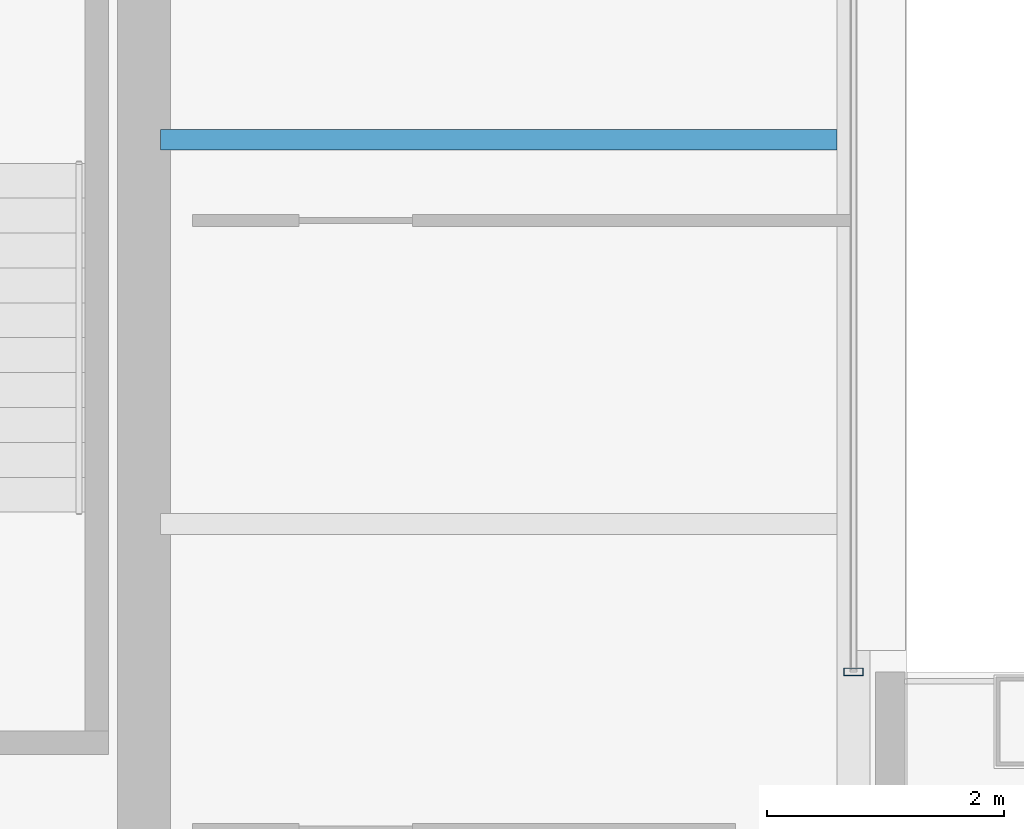
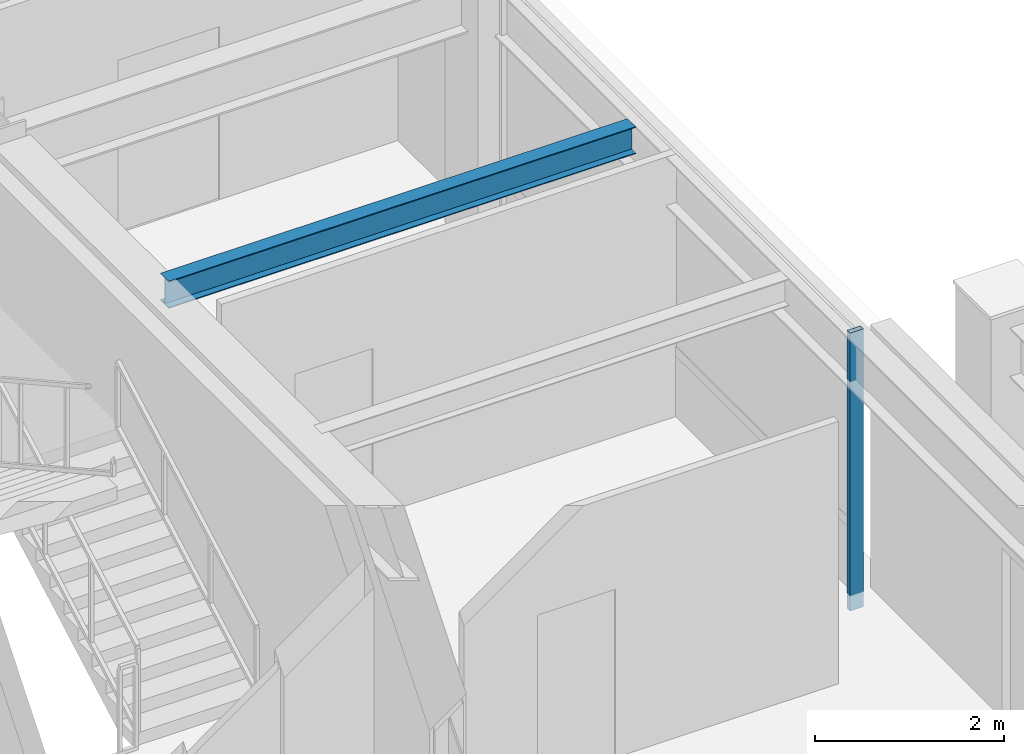
# One storey, part 16 of 29: 1 beam, 1 member, 1 element without a shape of its own.
"""IFC4 building model written with IfcOpenShell, lengths in metres."""

from ifc_helpers import new_model, si_unit, direction, frame, origin, origin_2d, place, context, subcontext, project, spatial, hollow_rectangle, i_section, extrude, material, layer, layer_set, material_profile, profile_set, type_object, element, aggregate, save


model = new_model("IFC4")

# Units and contexts
model_context = context("Model", 3, precision=1e-05, world=origin(), true_north=direction((0.0, 1.0)))
body_context = subcontext(model_context, "Body", "Model", "MODEL_VIEW")
ifc_project = project(units=[si_unit("LENGTHUNIT", "METRE"), si_unit("AREAUNIT", "SQUARE_METRE"), si_unit("VOLUMEUNIT", "CUBIC_METRE"), si_unit("PLANEANGLEUNIT", "RADIAN"), si_unit("MASSUNIT", "GRAM", prefix="KILO")], contexts=[model_context])

# Site, building, storey
site_placement = place(None, origin())
site = spatial("IfcSite", under=ifc_project, at=site_placement, CompositionType="ELEMENT")
building_placement = place(site_placement, origin())
building = spatial("IfcBuilding", under=site, at=building_placement, Name="Brelmoor Portico Tower", CompositionType="ELEMENT")
storey_placement = place(building_placement, frame((0.0, 0.0, 201.89990234375)))
storey = spatial("IfcBuildingStorey", under=building, at=storey_placement, Name="L53", CompositionType="ELEMENT", Elevation=201.89990234375)

# Beam
ifc_material_1 = material(Name="Steel Q355B", Category="steel")
ifc_material_profile_1 = material_profile(ifc_material_1, i_section(OverallWidth=0.175048828125, OverallDepth=0.35009765625, WebThickness=0.007080078125, FlangeThickness=0.010986328125, at=origin_2d()), Name="HN 350x175x7x11")
ifc_profile_set_1 = profile_set([ifc_material_profile_1], Name="Steel Q355B")
beam_type = type_object("IfcBeamType", Name="BM-JS-350", PredefinedType="JOIST", material=ifc_profile_set_1)
beam_placement = place(storey_placement, frame((14.68994140625, 6.5, 3.22509765625), z_axis=(1.0, 0.0, 0.0), x_axis=(0.0, 1.0, 0.0)))
element("IfcBeam", 1, at=beam_placement, inside=storey, type_object=beam_type, Name="L53 Secondary Wing Joist JS-E12", PredefinedType="JOIST", context=body_context, shape_type="SweptSolid", body=[
    extrude(i_section(OverallWidth=0.175048828125, OverallDepth=0.35009765625, WebThickness=0.007080078125, FlangeThickness=0.010986328125, at=origin_2d()), origin(), (0.0, 0.0, 1.0), 5.719970703125),
])

# Curtain wall, member
ifc_material_2 = material(Name="Anodised Aluminium Alloy 6063-T6", Category="aluminium")
ifc_layer = layer(ifc_material_2, 0.179931640625)
ifc_layer_set = layer_set([ifc_layer], Name="Anodised Aluminium Alloy 6063-T6")
curtain_wall_type = type_object("IfcCurtainWallType", Name="CW-TOWER-Z3", PredefinedType="NOTDEFINED", material=ifc_layer_set)
curtain_wall_placement = place(storey_placement, origin())
curtain_wall = element("IfcCurtainWall", 2, at=curtain_wall_placement, inside=storey, type_object=curtain_wall_type, Name="L53 Curtain Wall CW-L53-4R-1", PredefinedType="NOTDEFINED")
ifc_material_profile_2 = material_profile(ifc_material_2, hollow_rectangle(XDim=0.06494140625, YDim=0.1650390625, WallThickness=0.00390625, at=origin_2d()), Name="ALU MULLION 65x165")
ifc_profile_set_2 = profile_set([ifc_material_profile_2], Name="Anodised Aluminium Alloy 6063-T6")
member_type = type_object("IfcMemberType", Name="MB-CW-MULL-165", PredefinedType="MULLION", material=ifc_profile_set_2)
member_placement = place(storey_placement, frame((20.550048828125, 2.0, -0.199951171875), z_axis=(0.0, 0.0, 1.0), x_axis=(0.0, 1.0, 0.0)))
member = element("IfcMember", 3, at=member_placement, type_object=member_type, Name="CW-L53-4R-1 Mullion 00", PredefinedType="MULLION", context=body_context, shape_type="SweptSolid", body=[
    extrude(hollow_rectangle(XDim=0.06494140625, YDim=0.1650390625, WallThickness=0.00390625, at=origin_2d()), origin(), (0.0, 0.0, 1.0), 3.60009765625),
])
aggregate(curtain_wall, [member])

save(model, "model.ifc")
